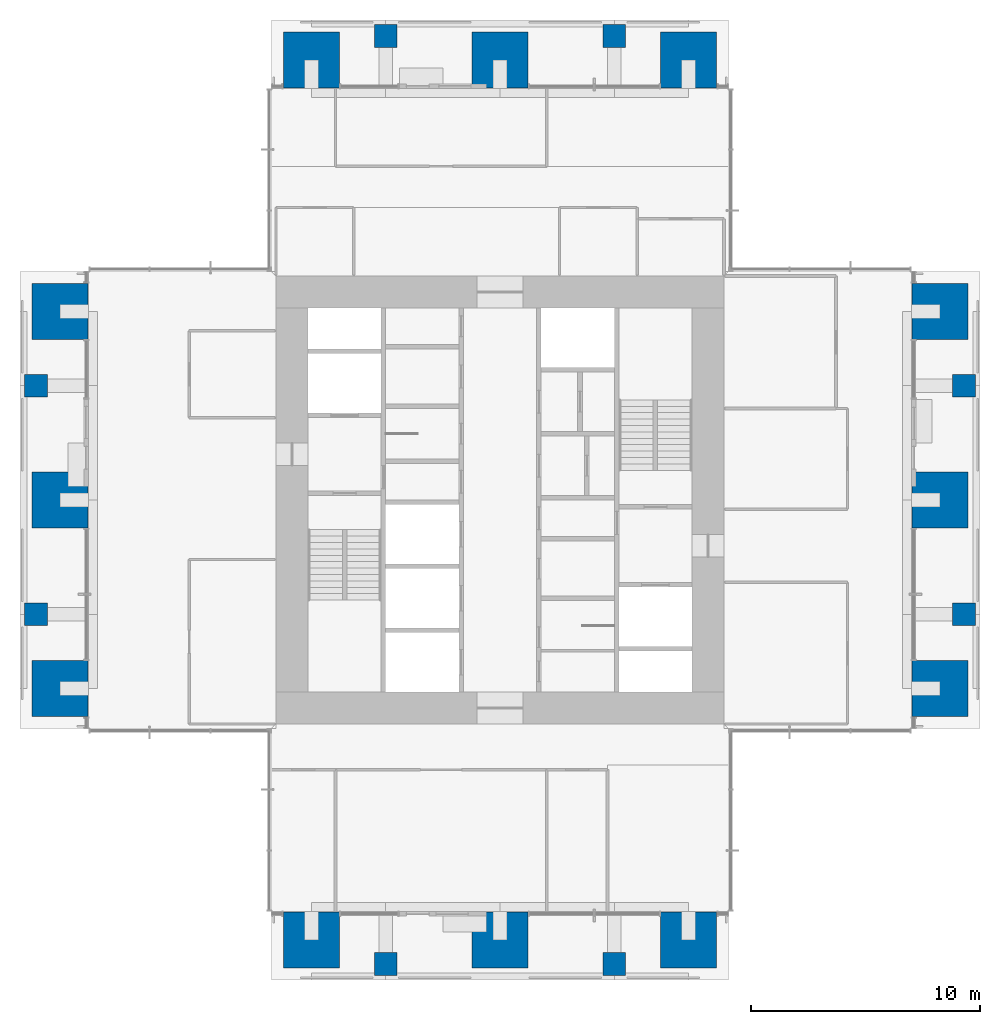
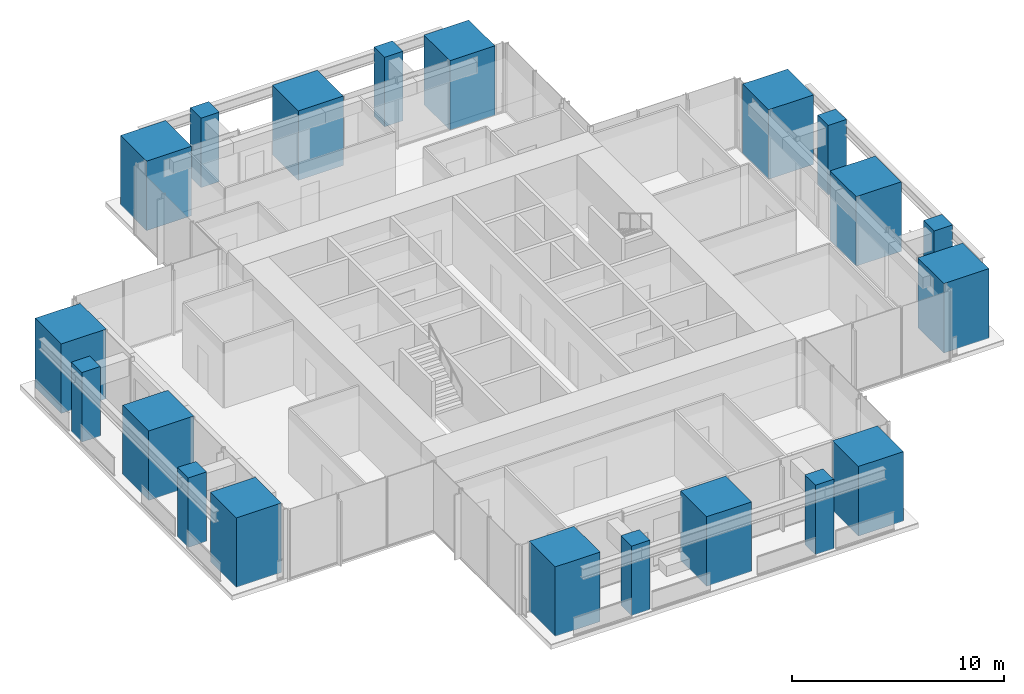
# One storey, part 1 of 17: 20 columns.
"""IFC4 building model written with IfcOpenShell, lengths in metres."""

import ifcopenshell
import ifcopenshell.guid

model = None  # the IFC model being written
_history = None  # IfcOwnerHistory: only IFC2X3 demands one
_inside = {}  # id of a spatial element -> (the spatial element, [elements in it])
_under = {}  # id of a project, library or spatial element -> (it, [spatial elements below it])
_declared = {}  # id of a project -> (the project, [libraries it declares])
_typed = {}  # id of a type object -> (the type object, [elements of that type])
_made_of = {}  # id of a material, layer set ... -> (it, [elements and type objects made of it])


def new_model(schema):
    """Start an empty IFC model of exactly this schema.

    Asked for "IFC4X3", IfcOpenShell would pick the latest addendum, in which some entities
    have other attributes; the version numbers below select the first issue.
    IFC2X3 requires an IfcOwnerHistory on every rooted entity: one is made here for all.
    """
    global model, _history
    if schema == "IFC4X3":
        model = ifcopenshell.file(schema_version=(4, 3, 0, 0))
    else:
        model = ifcopenshell.file(schema=schema)
    _inside.clear()
    _under.clear()
    _declared.clear()
    _typed.clear()
    _made_of.clear()
    _history = None
    if model.schema == "IFC2X3":
        org = make("IfcOrganization", Name="unknown")
        user = make(
            "IfcPersonAndOrganization",
            ThePerson=make("IfcPerson", FamilyName="unknown"),
            TheOrganization=org,
        )
        app = make(
            "IfcApplication",
            ApplicationDeveloper=org,
            Version="unknown",
            ApplicationFullName="unknown",
            ApplicationIdentifier="unknown",
        )
        _history = make(
            "IfcOwnerHistory",
            OwningUser=user,
            OwningApplication=app,
            ChangeAction="ADDED",
            CreationDate=0,
        )
    return model


def make(cls, **values):
    """One entity of the class cls with the attributes given. An attribute that is None is left unset."""
    return model.create_entity(
        cls, **{name: value for name, value in values.items() if value is not None}
    )


def rooted(cls, **values):
    """An entity with a GlobalId (a new one), such as an element, a storey or a relation."""
    return make(cls, GlobalId=ifcopenshell.guid.new(), OwnerHistory=_history, **values)


def si_unit(unit_type, name, prefix=None):
    """IfcSIUnit, for example si_unit("LENGTHUNIT", "METRE", prefix="MILLI")."""
    return make("IfcSIUnit", UnitType=unit_type, Prefix=prefix, Name=name)


def assignment(units):
    """IfcUnitAssignment: the units of a project."""
    return None if units is None else make("IfcUnitAssignment", Units=units)


def point(xyz):
    """IfcCartesianPoint."""
    return None if xyz is None else make("IfcCartesianPoint", Coordinates=xyz)


def direction(xyz):
    """IfcDirection."""
    return None if xyz is None else make("IfcDirection", DirectionRatios=xyz)


def frame(location, z_axis=None, x_axis=None):
    """IfcAxis2Placement3D, a coordinate frame: its origin and axes. An axis left out is left unset."""
    return make(
        "IfcAxis2Placement3D",
        Location=point(location),
        Axis=direction(z_axis),
        RefDirection=direction(x_axis),
    )


def frame_2d(location, x_axis=None):
    """IfcAxis2Placement2D, a coordinate frame in the plane: its origin and x axis."""
    return make(
        "IfcAxis2Placement2D", Location=point(location), RefDirection=direction(x_axis)
    )


def origin():
    """The frame at (0, 0, 0) with its axes left unset."""
    return frame((0.0, 0.0, 0.0))


def origin_2d():
    """The frame at (0, 0) in the plane with its x axis left unset."""
    return frame_2d((0.0, 0.0))


def place(relative_to, where):
    """IfcLocalPlacement: puts the frame where relative to a parent placement (None: the world)."""
    return make(
        "IfcLocalPlacement", PlacementRelTo=relative_to, RelativePlacement=where
    )


def context(
    kind, dimensions, precision=None, world=None, true_north=None, identifier=None
):
    """IfcGeometricRepresentationContext, for example the 3D "Model" context."""
    return make(
        "IfcGeometricRepresentationContext",
        ContextIdentifier=identifier,
        ContextType=kind,
        CoordinateSpaceDimension=dimensions,
        Precision=precision,
        WorldCoordinateSystem=world,
        TrueNorth=true_north,
    )


def subcontext(parent, identifier, kind, view, scale=None):
    """IfcGeometricRepresentationSubContext, for example "Body" below "Model"."""
    return make(
        "IfcGeometricRepresentationSubContext",
        ContextIdentifier=identifier,
        ContextType=kind,
        ParentContext=parent,
        TargetScale=scale,
        TargetView=view,
    )


def project(units=None, contexts=None):
    """IfcProject with its units and contexts."""
    return rooted(
        "IfcProject",
        Name="project",
        RepresentationContexts=contexts,
        UnitsInContext=assignment(units),
    )


def spatial(cls, under=None, at=None, **own):
    """A site, building, storey or space (cls), placed at a placement, below another one or the project."""
    s = rooted(cls, ObjectPlacement=at, **own)
    if under is not None:
        _under.setdefault(under.id(), (under, []))[1].append(s)
    return s


def profile(cls, at=None, kind="AREA", **sizes):
    """A parametric profile (cls). Its sizes go by their IFC names, for example OverallWidth=200.0."""
    return make(cls, ProfileType=kind, Position=at, **sizes)


def rectangle(**sizes):
    """IfcRectangleProfileDef."""
    return profile("IfcRectangleProfileDef", **sizes)


def extrude(swept, where, along, depth):
    """IfcExtrudedAreaSolid: the profile swept, set in the frame where, extruded along a direction by depth."""
    return make(
        "IfcExtrudedAreaSolid",
        SweptArea=swept,
        Position=where,
        ExtrudedDirection=direction(along),
        Depth=depth,
    )


def shape(context_of_items, identifier, shape_type, items):
    """IfcShapeRepresentation: the items that make up one representation, for example the "Body"."""
    return make(
        "IfcShapeRepresentation",
        ContextOfItems=context_of_items,
        RepresentationIdentifier=identifier,
        RepresentationType=shape_type,
        Items=items,
    )


def material(Name=None, Category=None):
    """IfcMaterial."""
    return make("IfcMaterial", Name=Name, Category=Category)


def material_profile(
    of_material, cross_section, Name=None, Category=None, Priority=None
):
    """IfcMaterialProfile: a cross section and its material."""
    return make(
        "IfcMaterialProfile",
        Name=Name,
        Material=of_material,
        Profile=cross_section,
        Priority=Priority,
        Category=Category,
    )


def profile_set(profiles, Name=None, composite=None):
    """IfcMaterialProfileSet."""
    return make(
        "IfcMaterialProfileSet",
        Name=Name,
        MaterialProfiles=profiles,
        CompositeProfile=composite,
    )


def made_of(thing, what):
    """Note that an element or type object is made of a material, layer set ...; save() writes the relation."""
    if what is not None:
        _made_of.setdefault(what.id(), (what, []))[1].append(thing)
    return thing


def type_object(cls, material=None, **own):
    """A type object (cls), such as IfcWallType, which elements share."""
    return made_of(rooted(cls, **own), material)


def element(
    cls,
    number,
    at=None,
    inside=None,
    cuts=None,
    type_object=None,
    material=None,
    context=None,
    identifier="Body",
    shape_type=None,
    held_by="IfcProductDefinitionShape",
    body=None,
    shapes=None,
    **own,
):
    """One element of the class cls, such as IfcWall. Its Tag is "e" and its number.

    at: its placement. inside: the storey or other place that contains it. cuts: it is an
    opening in that element (IfcRelVoidsElement). A single representation is given by context,
    identifier, shape_type and body (its items); several are given by shapes. held_by: the class
    of the entity that holds the representations. save() writes the other relations.
    """
    e = rooted(cls, Tag="e%d" % number, ObjectPlacement=at, **own)
    if body is not None:
        shapes = [shape(context, identifier, shape_type, body)]
    if shapes is not None:
        e.Representation = make(held_by, Representations=shapes)
    if inside is not None:
        _inside.setdefault(inside.id(), (inside, []))[1].append(e)
    if cuts is not None:
        rooted(
            "IfcRelVoidsElement", RelatingBuildingElement=cuts, RelatedOpeningElement=e
        )
    if type_object is not None:
        _typed.setdefault(type_object.id(), (type_object, []))[1].append(e)
    return made_of(e, material)


def aggregate(whole, parts):
    """IfcRelAggregates: a whole, such as a stair, and the parts it consists of."""
    return rooted("IfcRelAggregates", RelatingObject=whole, RelatedObjects=parts)


def save(model, path):
    """Write the relations noted so far, then the file.

    IfcRelAggregates (storeys below a building ...), IfcRelContainedInSpatialStructure (elements
    in a storey), IfcRelDefinesByType, IfcRelAssociatesMaterial and IfcRelDeclares: one each for
    every whole, place, type object, material and project.
    """
    for whole, parts in _under.values():
        aggregate(whole, parts)
    for where, things in _inside.values():
        rooted(
            "IfcRelContainedInSpatialStructure",
            RelatedElements=things,
            RelatingStructure=where,
        )
    for kind, things in _typed.values():
        rooted("IfcRelDefinesByType", RelatedObjects=things, RelatingType=kind)
    for what, things in _made_of.values():
        rooted("IfcRelAssociatesMaterial", RelatedObjects=things, RelatingMaterial=what)
    for by, libraries in _declared.values():
        rooted("IfcRelDeclares", RelatingContext=by, RelatedDefinitions=libraries)
    model.write(path)


model = new_model("IFC4")

# Units and contexts
model_context = context("Model", 3, precision=1e-05, world=origin(), true_north=direction((0.0, 1.0)))
body_context = subcontext(model_context, "Body", "Model", "MODEL_VIEW")
ifc_project = project(units=[si_unit("LENGTHUNIT", "METRE"), si_unit("AREAUNIT", "SQUARE_METRE"), si_unit("VOLUMEUNIT", "CUBIC_METRE"), si_unit("PLANEANGLEUNIT", "RADIAN"), si_unit("MASSUNIT", "GRAM", prefix="KILO")], contexts=[model_context])

# Site, building, storey
site_placement = place(None, origin())
site = spatial("IfcSite", under=ifc_project, at=site_placement, CompositionType="ELEMENT")
building_placement = place(site_placement, origin())
building = spatial("IfcBuilding", under=site, at=building_placement, Name="Svetlomir Tower", CompositionType="ELEMENT")
storey_placement = place(building_placement, frame((0.0, 0.0, 174.5)))
storey = spatial("IfcBuildingStorey", under=building, at=storey_placement, Name="L41", CompositionType="ELEMENT", Elevation=174.5)

# Columns
ifc_material_1 = material(Name="Concrete C60/75", Category="concrete")
ifc_material_profile_1 = material_profile(ifc_material_1, rectangle(XDim=1.0, YDim=1.0, at=origin_2d()), Name="RC 1000x1000")
ifc_profile_set_1 = profile_set([ifc_material_profile_1], Name="Concrete C60/75")
column_type_1 = type_object("IfcColumnType", Name="COLUMN RC 1000x1000", PredefinedType="COLUMN", material=ifc_profile_set_1)
for number, where, z_axis, x_axis, name in (
    (1, (16.0, 0.699951171875, 0.0), (0.0, 0.0, 1.0), (1.0, 0.0, 0.0), "Column 16/0 L41"),
    (2, (26.0, 0.699951171875, 0.0), (0.0, 0.0, 1.0), (1.0, 0.0, 0.0), "Column 26/0 L41"),
    (3, (0.699951171875, 16.0, 0.0), (0.0, 0.0, 1.0), (1.0, 0.0, 0.0), "Column 0/16 L41"),
    (4, (41.300048828125, 16.0, 0.0), (0.0, 0.0, 1.0), (1.0, 0.0, 0.0), "Column 42/16 L41"),
    (5, (0.699951171875, 26.0, 0.0), (0.0, 0.0, 1.0), (1.0, 0.0, 0.0), "Column 0/26 L41"),
    (6, (41.300048828125, 26.0, 0.0), (0.0, 0.0, 1.0), (1.0, 0.0, 0.0), "Column 42/26 L41"),
    (7, (16.0, 41.300048828125, 0.0), (0.0, 0.0, 1.0), (1.0, 0.0, 0.0), "Column 16/42 L41"),
    (8, (26.0, 41.300048828125, 0.0), (0.0, 0.0, 1.0), (1.0, 0.0, 0.0), "Column 26/42 L41"),
):
    element("IfcColumn", number, at=place(storey_placement, frame(where, z_axis=z_axis, x_axis=x_axis)), inside=storey, type_object=column_type_1, Name=name, PredefinedType="COLUMN", context=body_context, shape_type="SweptSolid", body=[
        extrude(rectangle(XDim=1.0, YDim=1.0, at=origin_2d()), origin(), (0.0, 0.0, 1.0), 4.0),
    ])
ifc_material_2 = material(Name="Concrete C60/75", Category="concrete")
ifc_material_profile_2 = material_profile(ifc_material_2, rectangle(XDim=2.449951171875, YDim=2.449951171875, at=origin_2d()), Name="RC 2450x2450")
ifc_profile_set_2 = profile_set([ifc_material_profile_2], Name="Concrete C60/75")
column_type_2 = type_object("IfcColumnType", Name="COLUMN RC 2450x2450", PredefinedType="COLUMN", material=ifc_profile_set_2)
for number, where, z_axis, x_axis, name in (
    (9, (12.75, 1.75, 0.0), (0.0, 0.0, 1.0), (1.0, 0.0, 0.0), "Column 11/0 L41"),
    (10, (21.0, 1.75, 0.0), (0.0, 0.0, 1.0), (1.0, 0.0, 0.0), "Column 21/0 L41"),
    (11, (29.25, 1.75, 0.0), (0.0, 0.0, 1.0), (1.0, 0.0, 0.0), "Column 31/0 L41"),
    (12, (1.75, 12.75, 0.0), (0.0, 0.0, 1.0), (1.0, 0.0, 0.0), "Column 0/11 L41"),
    (13, (40.25, 12.75, 0.0), (0.0, 0.0, 1.0), (1.0, 0.0, 0.0), "Column 42/11 L41"),
    (14, (1.75, 21.0, 0.0), (0.0, 0.0, 1.0), (1.0, 0.0, 0.0), "Column 0/21 L41"),
    (15, (40.25, 21.0, 0.0), (0.0, 0.0, 1.0), (1.0, 0.0, 0.0), "Column 42/21 L41"),
    (16, (1.75, 29.25, 0.0), (0.0, 0.0, 1.0), (1.0, 0.0, 0.0), "Column 0/31 L41"),
    (17, (40.25, 29.25, 0.0), (0.0, 0.0, 1.0), (1.0, 0.0, 0.0), "Column 42/31 L41"),
    (18, (12.75, 40.25, 0.0), (0.0, 0.0, 1.0), (1.0, 0.0, 0.0), "Column 11/42 L41"),
    (19, (21.0, 40.25, 0.0), (0.0, 0.0, 1.0), (1.0, 0.0, 0.0), "Column 21/42 L41"),
    (20, (29.25, 40.25, 0.0), (0.0, 0.0, 1.0), (1.0, 0.0, 0.0), "Column 31/42 L41"),
):
    element("IfcColumn", number, at=place(storey_placement, frame(where, z_axis=z_axis, x_axis=x_axis)), inside=storey, type_object=column_type_2, Name=name, PredefinedType="COLUMN", context=body_context, shape_type="SweptSolid", body=[
        extrude(rectangle(XDim=2.449951171875, YDim=2.449951171875, at=origin_2d()), origin(), (0.0, 0.0, 1.0), 4.0),
    ])

save(model, "model.ifc")
